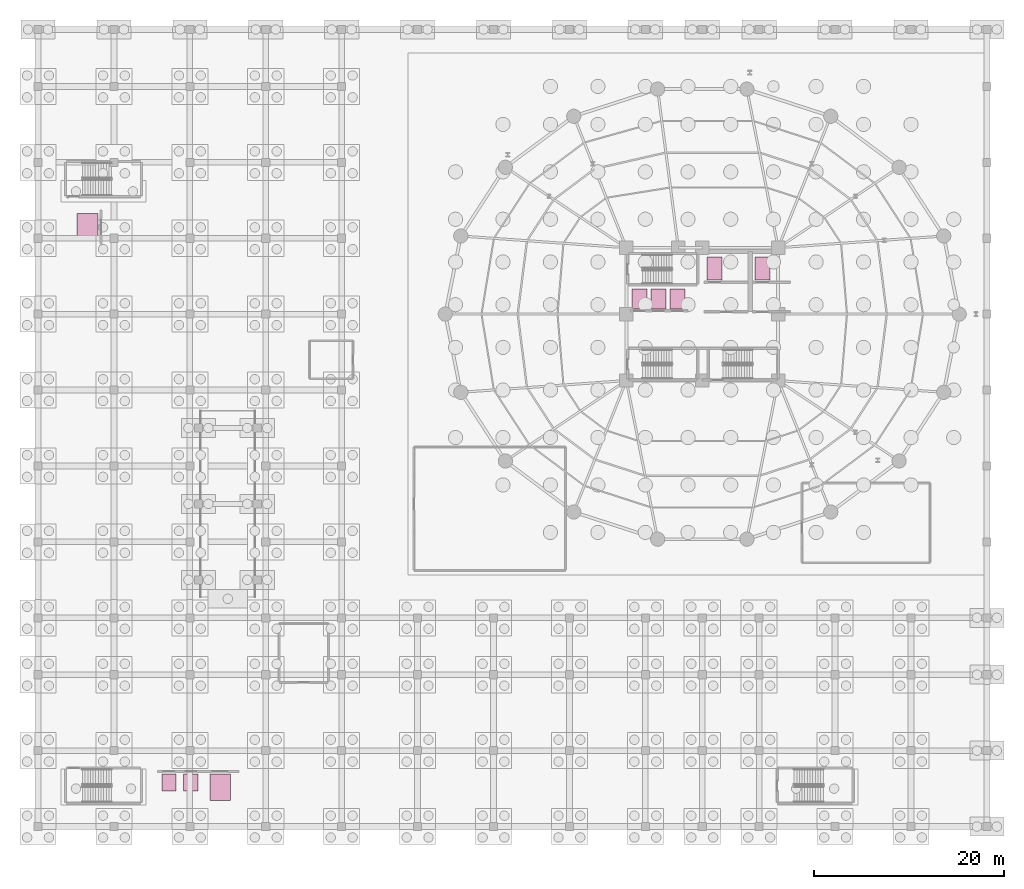
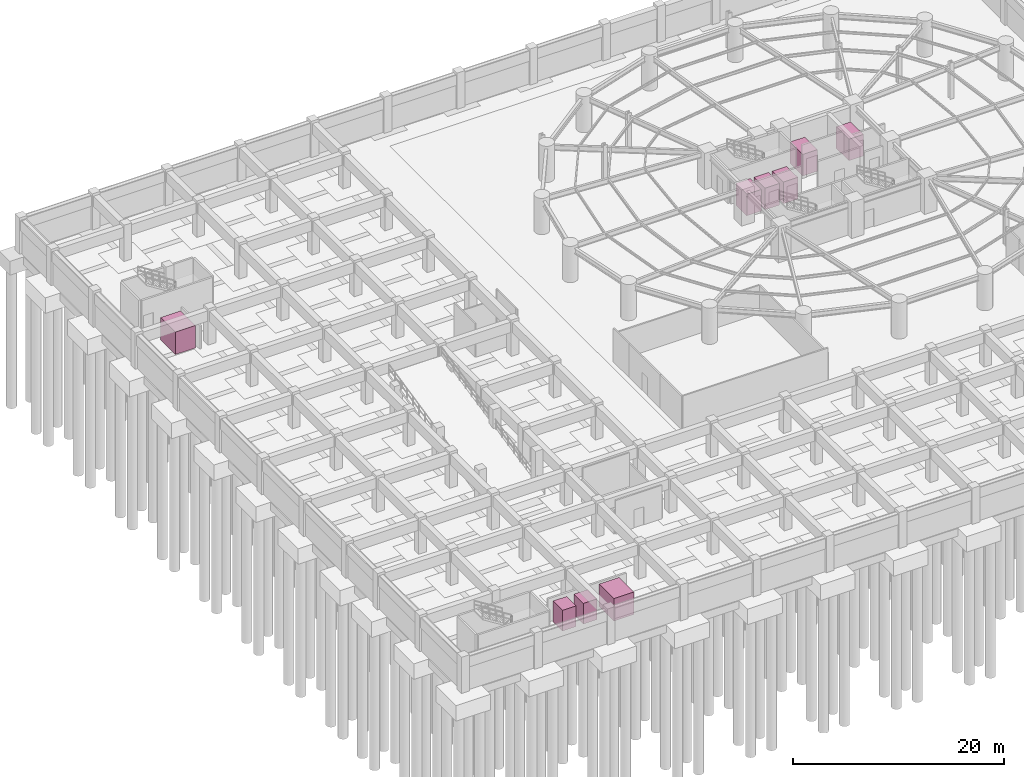
# One storey, part 23 of 23: 9 transport elements.
"""IFC4 building model written with IfcOpenShell, lengths in metres."""

from ifc_helpers import new_model, si_unit, direction, frame, origin, origin_2d, place, context, subcontext, project, spatial, rectangle, extrude, source, transform, mapped, material, type_object, element, save


model = new_model("IFC4")

# Units and contexts
model_context = context("Model", 3, precision=1e-05, world=origin(), true_north=direction((0.0, 1.0)))
body_context = subcontext(model_context, "Body", "Model", "MODEL_VIEW")
ifc_project = project(units=[si_unit("LENGTHUNIT", "METRE"), si_unit("AREAUNIT", "SQUARE_METRE"), si_unit("VOLUMEUNIT", "CUBIC_METRE"), si_unit("PLANEANGLEUNIT", "RADIAN"), si_unit("MASSUNIT", "GRAM", prefix="KILO")], contexts=[model_context])

# Site, building, storey
site_placement = place(None, origin())
site = spatial("IfcSite", under=ifc_project, at=site_placement, CompositionType="ELEMENT")
building_placement = place(site_placement, origin())
building = spatial("IfcBuilding", under=site, at=building_placement, Name="Kelanora Arch Commons", CompositionType="ELEMENT")
storey_placement = place(building_placement, frame((0.0, 0.0, -8.39990234375)))
storey = spatial("IfcBuildingStorey", under=building, at=storey_placement, Name="B02", CompositionType="ELEMENT", Elevation=-8.39990234375)

# Transport elements
ifc_material_1 = material(Name="Fire-rated stainless steel stretcher and firefighters lift car", Category="steel")
transport_element_type_1 = type_object("IfcTransportElementType", Name="LFT-FF-2000", PredefinedType="ELEVATOR", material=ifc_material_1)
shared_shape_1 = source(origin(), body_context, "Body", "SweptSolid", [
    extrude(rectangle(XDim=1.60009765625, YDim=2.39990234375, at=origin_2d()), origin(), (0.0, 0.0, 1.0), 2.5),
])
for number, where, z_axis, x_axis, name in (
    (1, (75.300048828125, 62.800048828125, 0.0), (0.0, 0.0, 1.0), (1.0, 0.0, 0.0), "Lift LF-FF1"),
    (2, (80.35009765625, 62.800048828125, 0.0), (0.0, 0.0, 1.0), (1.0, 0.0, 0.0), "Lift LF-FF2"),
):
    element("IfcTransportElement", number, at=place(storey_placement, frame(where, z_axis=z_axis, x_axis=x_axis)), inside=storey, type_object=transport_element_type_1, Name=name, PredefinedType="ELEVATOR", context=body_context, shape_type="MappedRepresentation", body=[
        mapped(shared_shape_1, transform((0.0, 0.0, 0.0), scale=1.0)),
    ])
ifc_material_2 = material(Name="Brushed stainless steel passenger lift car", Category="steel")
transport_element_type_2 = type_object("IfcTransportElementType", Name="LFT-PASS-1600", PredefinedType="ELEVATOR", material=ifc_material_2)
shared_shape_2 = source(origin(), body_context, "Body", "SweptSolid", [
    extrude(rectangle(XDim=1.60009765625, YDim=2.10009765625, at=origin_2d()), origin(), (0.0, 0.0, 1.0), 2.5),
])
for number, where, z_axis, x_axis, name in (
    (3, (67.39990234375, 59.60009765625, 0.0), (0.0, 0.0, 1.0), (1.0, 0.0, 0.0), "Lift LF-P1"),
    (4, (69.39990234375, 59.60009765625, 0.0), (0.0, 0.0, 1.0), (1.0, 0.0, 0.0), "Lift LF-P2"),
    (5, (71.39990234375, 59.60009765625, 0.0), (0.0, 0.0, 1.0), (1.0, 0.0, 0.0), "Lift LF-P3"),
):
    element("IfcTransportElement", number, at=place(storey_placement, frame(where, z_axis=z_axis, x_axis=x_axis)), inside=storey, type_object=transport_element_type_2, Name=name, PredefinedType="ELEVATOR", context=body_context, shape_type="MappedRepresentation", body=[
        mapped(shared_shape_2, transform((0.0, 0.0, 0.0), scale=1.0)),
    ])
ifc_material_3 = material(Name="Stainless steel market passenger lift car", Category="steel")
transport_element_type_3 = type_object("IfcTransportElementType", Name="LFT-MKT-1350", PredefinedType="ELEVATOR", material=ifc_material_3)
shared_shape_3 = source(origin(), body_context, "Body", "SweptSolid", [
    extrude(rectangle(XDim=1.5, YDim=1.800048828125, at=origin_2d()), origin(), (0.0, 0.0, 1.0), 2.39990234375),
])
for number, where, z_axis, x_axis, name in (
    (6, (17.800048828125, 8.64990234375, 0.0), (0.0, 0.0, 1.0), (1.0, 0.0, 0.0), "Lift LF-MP1"),
    (7, (20.10009765625, 8.64990234375, 0.0), (0.0, 0.0, 1.0), (1.0, 0.0, 0.0), "Lift LF-MP2"),
):
    element("IfcTransportElement", number, at=place(storey_placement, frame(where, z_axis=z_axis, x_axis=x_axis)), inside=storey, type_object=transport_element_type_3, Name=name, PredefinedType="ELEVATOR", context=body_context, shape_type="MappedRepresentation", body=[
        mapped(shared_shape_3, transform((0.0, 0.0, 0.0), scale=1.0)),
    ])
ifc_material_4 = material(Name="Heavy-duty chequer-plate steel goods lift car", Category="steel")
transport_element_type_4 = type_object("IfcTransportElementType", Name="LFT-GDS-3000", PredefinedType="ELEVATOR", material=ifc_material_4)
shared_shape_4 = source(origin(), body_context, "Body", "SweptSolid", [
    extrude(rectangle(XDim=2.199951171875, YDim=2.800048828125, at=origin_2d()), origin(), (0.0, 0.0, 1.0), 2.60009765625),
])
for number, where, z_axis, x_axis, name in (
    (8, (23.199951171875, 8.14990234375, -0.000244140625), (0.0, 0.0, 1.0), (1.0, 0.0, 0.0), "Lift LF-MG1"),
    (9, (9.199951171875, 67.199951171875, -0.000244140625), (0.0, 0.0, 1.0), (1.0, 0.0, 0.0), "Lift LF-MG2"),
):
    element("IfcTransportElement", number, at=place(storey_placement, frame(where, z_axis=z_axis, x_axis=x_axis)), inside=storey, type_object=transport_element_type_4, Name=name, PredefinedType="ELEVATOR", context=body_context, shape_type="MappedRepresentation", body=[
        mapped(shared_shape_4, transform((0.0, 0.0, 0.0), scale=1.0)),
    ])

save(model, "model.ifc")
